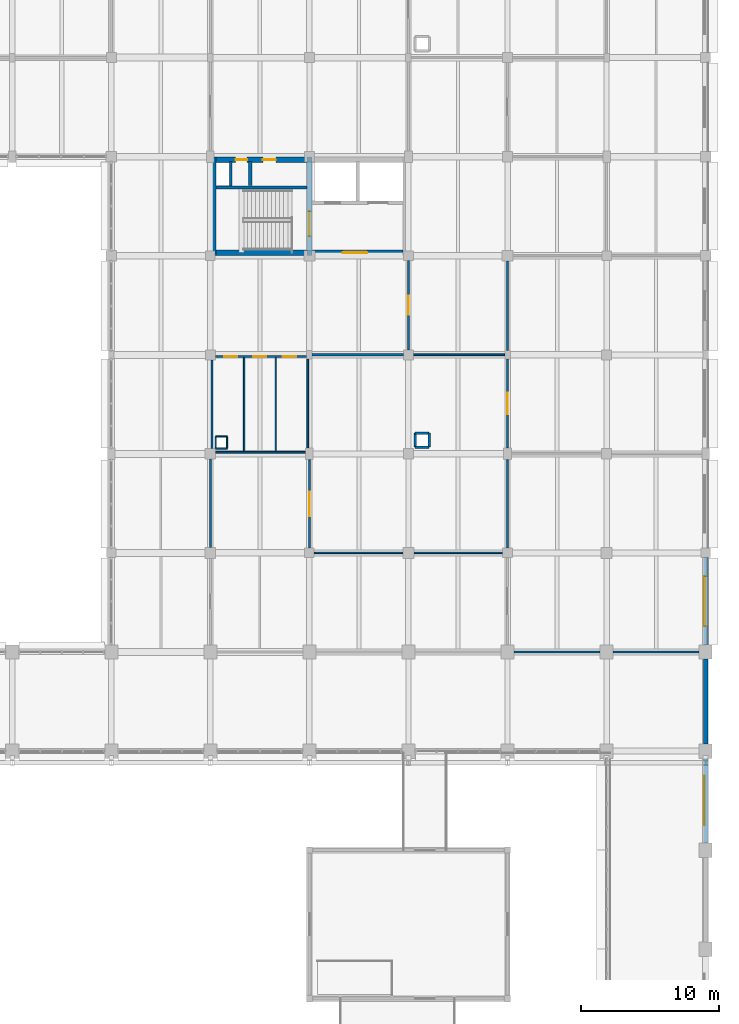
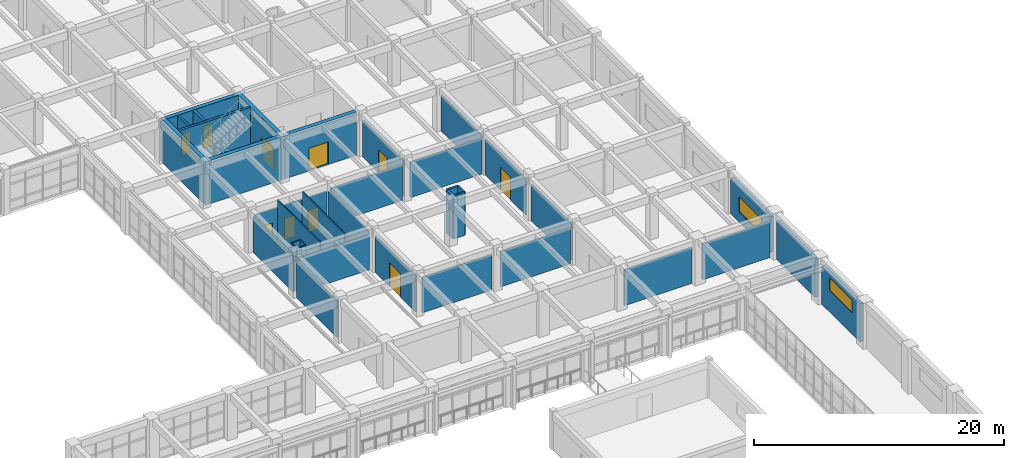
# One storey, part 160 of 171: 37 walls, 10 doors, 2 windows, 12 openings.
"""IFC4 building model written with IfcOpenShell, lengths in metres."""

from ifc_helpers import new_model, si_unit, direction, frame, frame_2d, origin, place, context, subcontext, project, spatial, rectangle, extrude, material, layer, layer_set, type_object, element, fill, save


model = new_model("IFC4")

# Units and contexts
model_context = context("Model", 3, precision=1e-05, world=origin(), true_north=direction((0.0, 1.0)))
body_context = subcontext(model_context, "Body", "Model", "MODEL_VIEW")
ifc_project = project(units=[si_unit("LENGTHUNIT", "METRE"), si_unit("AREAUNIT", "SQUARE_METRE"), si_unit("VOLUMEUNIT", "CUBIC_METRE"), si_unit("PLANEANGLEUNIT", "RADIAN"), si_unit("MASSUNIT", "GRAM", prefix="KILO")], contexts=[model_context])

# Site, building, storey
site_placement = place(None, origin())
site = spatial("IfcSite", under=ifc_project, at=site_placement, CompositionType="ELEMENT")
building_placement = place(site_placement, origin())
building = spatial("IfcBuilding", under=site, at=building_placement, Name="Thalmaran Polytechnic", CompositionType="ELEMENT")
storey_placement = place(building_placement, frame((0.0, 0.0, 5.39990234375)))
storey = spatial("IfcBuildingStorey", under=building, at=storey_placement, Name="L01", CompositionType="ELEMENT", Elevation=5.39990234375)

# Wall, opening, window
ifc_material_1 = material(Name="Precast concrete C40/50", Category="concrete")
ifc_layer_1 = layer(ifc_material_1, 0.330078125, Name="Precast concrete C40/50")
ifc_layer_set_1 = layer_set([ifc_layer_1], Name="Precast concrete C40/50")
wall_type_1 = type_object("IfcWallType", Name="WL-EW02", PredefinedType="STANDARD", material=ifc_layer_set_1)
wall_1_placement = place(storey_placement, frame((172.800048828125, 64.449951171875, 0.0), z_axis=(0.0, 0.0, 1.0), x_axis=(0.0, -1.0, 0.0)))
wall_1 = element("IfcWall", 1, at=wall_1_placement, inside=storey, type_object=wall_type_1, Name="Exterior Precast Facade Wall L01-060", PredefinedType="STANDARD", context=body_context, shape_type="SweptSolid", body=[
    extrude(rectangle(XDim=6.324951171875, YDim=0.330078125, at=frame_2d((3.16259765625, 0.0))), origin(), (0.0, 0.0, 1.0), 3.455078125),
])
opening_1_placement = place(wall_1_placement, frame((1.362548828125, 0.0, 0.97998046875)))
opening_1 = element("IfcOpeningElement", 2, at=opening_1_placement, cuts=wall_1, Name="Opening RW03", PredefinedType="OPENING", context=body_context, shape_type="SweptSolid", body=[
    extrude(rectangle(XDim=3.60009765625, YDim=1.5, at=frame_2d((1.800048828125, 0.75))), frame((0.0, 0.175048828125, 0.0), z_axis=(0.0, -1.0, 0.0), x_axis=(1.0, 0.0, 0.0)), (0.0, 0.0, 1.0), 0.35009765625),
])
ifc_material_2 = material(Name="Thermally broken aluminium and double low-E glass", Category="aluminium")
window_type_1 = type_object("IfcWindowType", Name="WN-RW03", PartitioningType="DOUBLE_PANEL_VERTICAL", PredefinedType="WINDOW", material=ifc_material_2)
window_1_placement = place(opening_1_placement, origin())
window_1 = element("IfcWindow", 3, at=window_1_placement, inside=storey, type_object=window_type_1, Name="Streamline Ribbon Window W-0132", OverallHeight=1.5, OverallWidth=3.60009765625, PartitioningType="SINGLE_PANEL", PredefinedType="WINDOW", context=body_context, shape_type="SweptSolid", body=[
    extrude(rectangle(XDim=3.60009765625, YDim=1.5, at=frame_2d((1.800048828125, 0.75))), frame((0.0, -0.030029296875, 0.0), z_axis=(0.0, -1.0, 0.0), x_axis=(1.0, 0.0, 0.0)), (0.0, 0.0, 1.0), 0.06005859375),
])
fill(opening_1, window_1)

# Wall
wall_2_placement = place(storey_placement, frame((172.800048828125, 57.074951171875, 0.0), z_axis=(0.0, 0.0, 1.0), x_axis=(0.0, -1.0, 0.0)))
element("IfcWall", 4, at=wall_2_placement, inside=storey, type_object=wall_type_1, Name="Exterior Precast Facade Wall L01-061", PredefinedType="STANDARD", context=body_context, shape_type="SweptSolid", body=[
    extrude(rectangle(XDim=6.14990234375, YDim=0.330078125, at=frame_2d((3.074951171875, 0.0))), origin(), (0.0, 0.0, 1.0), 3.7451171875),
])

# Wall, opening, window
wall_3_placement = place(storey_placement, frame((172.800048828125, 49.875, 0.0), z_axis=(0.0, 0.0, 1.0), x_axis=(0.0, -1.0, 0.0)))
wall_3 = element("IfcWall", 5, at=wall_3_placement, inside=storey, type_object=wall_type_1, Name="Exterior Precast Facade Wall L01-062", PredefinedType="STANDARD", context=body_context, shape_type="SweptSolid", body=[
    extrude(rectangle(XDim=6.14990234375, YDim=0.330078125, at=frame_2d((3.074951171875, 0.0))), origin(), (0.0, 0.0, 1.0), 3.7451171875),
])
opening_2_placement = place(wall_3_placement, frame((1.27490234375, 0.0, 2.10009765625)))
opening_2 = element("IfcOpeningElement", 6, at=opening_2_placement, cuts=wall_3, Name="Opening CL03", PredefinedType="OPENING", context=body_context, shape_type="SweptSolid", body=[
    extrude(rectangle(XDim=3.60009765625, YDim=1.25, at=frame_2d((1.800048828125, 0.625))), frame((0.0, 0.175048828125, 0.0), z_axis=(0.0, -1.0, 0.0), x_axis=(1.0, 0.0, 0.0)), (0.0, 0.0, 1.0), 0.35009765625),
])
window_type_2 = type_object("IfcWindowType", Name="WN-CL03", PartitioningType="DOUBLE_PANEL_VERTICAL", PredefinedType="WINDOW", material=ifc_material_2)
window_2_placement = place(opening_2_placement, origin())
window_2 = element("IfcWindow", 7, at=window_2_placement, inside=storey, type_object=window_type_2, Name="Workshop Gallery High Slot Window W-0133", OverallHeight=1.25, OverallWidth=3.60009765625, PartitioningType="SINGLE_PANEL", PredefinedType="WINDOW", context=body_context, shape_type="SweptSolid", body=[
    extrude(rectangle(XDim=3.60009765625, YDim=1.25, at=frame_2d((1.800048828125, 0.625))), frame((0.0, -0.050048828125, 0.0), z_axis=(0.0, -1.0, 0.0), x_axis=(1.0, 0.0, 0.0)), (0.0, 0.0, 1.0), 0.06005859375),
])
fill(opening_2, window_2)

# Walls
ifc_material_3 = material(Name="Autoclaved aerated masonry", Category="masonry")
ifc_layer_2 = layer(ifc_material_3, 0.22998046875, Name="Autoclaved aerated masonry")
ifc_layer_set_2 = layer_set([ifc_layer_2], Name="Autoclaved aerated masonry")
wall_type_2 = type_object("IfcWallType", Name="WL-IW02", PredefinedType="PARTITIONING", material=ifc_layer_set_2)
wall_4_placement = place(storey_placement, frame((139.699951171875, 91.5, 0.0), z_axis=(0.0, 0.0, 1.0), x_axis=(0.0, 1.0, 0.0)))
element("IfcWall", 8, at=wall_4_placement, inside=storey, type_object=wall_type_2, Name="Core C5 Riser Partition L01", PredefinedType="PARTITIONING", context=body_context, shape_type="SweptSolid", body=[
    extrude(rectangle(XDim=1.739990234375, YDim=0.22998046875, at=frame_2d((0.8701171875, 0.0))), origin(), (0.0, 0.0, 1.0), 4.210205078125),
])
ifc_layer_3 = layer(ifc_material_3, 0.179931640625, Name="Autoclaved aerated masonry")
ifc_layer_set_3 = layer_set([ifc_layer_3], Name="Autoclaved aerated masonry")
wall_type_3 = type_object("IfcWallType", Name="WL-IW04", PredefinedType="PARTITIONING", material=ifc_layer_set_3)
wall_5_placement = place(storey_placement, frame((138.280029296875, 91.47998046875, 0.0), z_axis=(0.0, 0.0, 1.0), x_axis=(0.0, 1.0, 0.0)))
element("IfcWall", 9, at=wall_5_placement, inside=storey, type_object=wall_type_3, Name="Core C5 Riser Shaft Enclosure Wall L01", PredefinedType="PARTITIONING", context=body_context, shape_type="SweptSolid", body=[
    extrude(rectangle(XDim=1.760009765625, YDim=0.179931640625, at=frame_2d((0.8798828125, 0.0))), origin(), (0.0, 0.0, 1.0), 4.210205078125),
])
for number, where, z_axis, x_axis, name in (
    (10, (151.68994140625, 72.489990234375, 0.0), (0.0, 0.0, 1.0), (1.0, 0.0, 0.0), "Fume Exhaust Riser Shaft Wall L01 (21,10)-S"),
    (11, (152.7099609375, 72.489990234375, 0.0), (0.0, 0.0, 1.0), (0.0, 1.0, 0.0), "Fume Exhaust Riser Shaft Wall L01 (21,10)-E"),
    (12, (152.7099609375, 73.510009765625, 0.0), (0.0, 0.0, 1.0), (-1.0, 0.0, 0.0), "Fume Exhaust Riser Shaft Wall L01 (21,10)-N"),
    (13, (151.68994140625, 73.510009765625, 0.0), (0.0, 0.0, 1.0), (0.0, -1.0, 0.0), "Fume Exhaust Riser Shaft Wall L01 (21,10)-W"),
):
    element("IfcWall", number, at=place(storey_placement, frame(where, z_axis=z_axis, x_axis=x_axis)), inside=storey, type_object=wall_type_3, Name=name, PredefinedType="PARTITIONING", context=body_context, shape_type="SweptSolid", body=[
        extrude(rectangle(XDim=1.02001953125, YDim=0.179931640625, at=frame_2d((0.510009765625, 0.0))), origin(), (0.0, 0.0, 1.0), 4.210205078125),
    ])
ifc_material_4 = material(Name="Gypsum acoustic partition")
ifc_layer_4 = layer(ifc_material_4, 0.159912109375, Name="Gypsum acoustic partition")
ifc_layer_set_4 = layer_set([ifc_layer_4], Name="Gypsum acoustic partition")
wall_type_4 = type_object("IfcWallType", Name="WL-IW05", PredefinedType="PARTITIONING", material=ifc_layer_set_4)
wall_6_placement = place(storey_placement, frame((136.800048828125, 65.195068359375, 0.0), z_axis=(0.0, 0.0, 1.0), x_axis=(0.0, 1.0, 0.0)))
element("IfcWall", 14, at=wall_6_placement, inside=storey, type_object=wall_type_4, Name="Interior Partition IW05 L01-128", PredefinedType="PARTITIONING", context=body_context, shape_type="SweptSolid", body=[
    extrude(rectangle(XDim=6.425048828125, YDim=0.159912109375, at=frame_2d((3.21240234375, 0.0))), origin(), (0.0, 0.0, 1.0), 3.52001953125),
])
wall_7_placement = place(storey_placement, frame((144.205078125, 79.199951171875, 0.0), z_axis=(0.0, 0.0, 1.0), x_axis=(1.0, 0.0, 0.0)))
element("IfcWall", 15, at=wall_7_placement, inside=storey, type_object=wall_type_4, Name="Interior Partition IW05 L01-138", PredefinedType="PARTITIONING", context=body_context, shape_type="SweptSolid", body=[
    extrude(rectangle(XDim=6.6298828125, YDim=0.159912109375, at=frame_2d((3.31494140625, 0.0))), origin(), (0.0, 0.0, 1.0), 3.460205078125),
])

# Wall, opening, door
wall_8_placement = place(storey_placement, frame((151.199951171875, 79.56494140625, 0.0), z_axis=(0.0, 0.0, 1.0), x_axis=(0.0, 1.0, 0.0)))
wall_8 = element("IfcWall", 16, at=wall_8_placement, inside=storey, type_object=wall_type_4, Name="Interior Partition IW05 L01-139", PredefinedType="PARTITIONING", context=body_context, shape_type="SweptSolid", body=[
    extrude(rectangle(XDim=6.47998046875, YDim=0.159912109375, at=frame_2d((3.239990234375, 0.0))), origin(), (0.0, 0.0, 1.0), 3.51513671875),
])
opening_3_placement = place(wall_8_placement, frame((2.550048828125, 0.0, 0.0)))
opening_3 = element("IfcOpeningElement", 17, at=opening_3_placement, cuts=wall_8, Name="Opening D-L01-048-5-05-1", PredefinedType="OPENING", context=body_context, shape_type="SweptSolid", body=[
    extrude(rectangle(XDim=1.3798828125, YDim=2.219970703125, at=frame_2d((0.68994140625, 1.10986328125))), frame((0.0, 0.08984375, 0.0), z_axis=(0.0, -1.0, 0.0), x_axis=(1.0, 0.0, 0.0)), (0.0, 0.0, 1.0), 0.179931640625),
])
ifc_material_5 = material(Name="Acoustic hardwood and vision glass", Category="wood")
door_type_1 = type_object("IfcDoorType", Name="DR-ZD04", OperationType="NOTDEFINED", PredefinedType="DOOR", material=ifc_material_5)
door_1_placement = place(opening_3_placement, origin())
door_1 = element("IfcDoor", 18, at=door_1_placement, inside=storey, type_object=door_type_1, Name="Robotics and Automation Laboratory L01-05 Door 1", OperationType="SINGLE_SWING_LEFT", OverallHeight=2.219970703125, OverallWidth=1.3798828125, PredefinedType="DOOR", context=body_context, shape_type="SweptSolid", body=[
    extrude(rectangle(XDim=1.3798828125, YDim=2.219970703125, at=frame_2d((0.68994140625, 1.10986328125))), frame((0.0, 0.02490234375, 0.0), z_axis=(0.0, -1.0, 0.0), x_axis=(1.0, 0.0, 0.0)), (0.0, 0.0, 1.0), 0.050048828125),
])
fill(opening_3, door_1)

# Walls
wall_9_placement = place(storey_placement, frame((158.8798828125, 57.60009765625, 0.0), z_axis=(0.0, 0.0, 1.0), x_axis=(1.0, 0.0, 0.0)))
element("IfcWall", 19, at=wall_9_placement, inside=storey, type_object=wall_type_4, Name="Interior Partition IW05 L01-155", PredefinedType="PARTITIONING", context=body_context, shape_type="SweptSolid", body=[
    extrude(rectangle(XDim=6.240234375, YDim=0.159912109375, at=frame_2d((3.1201171875, 0.0))), origin(), (0.0, 0.0, 1.0), 3.485107421875),
])
wall_10_placement = place(storey_placement, frame((166.080078125, 57.60009765625, 0.0), z_axis=(0.0, 0.0, 1.0), x_axis=(1.0, 0.0, 0.0)))
element("IfcWall", 20, at=wall_10_placement, inside=storey, type_object=wall_type_4, Name="Interior Partition IW05 L01-164", PredefinedType="PARTITIONING", context=body_context, shape_type="SweptSolid", body=[
    extrude(rectangle(XDim=6.239990234375, YDim=0.159912109375, at=frame_2d((3.1201171875, 0.0))), origin(), (0.0, 0.0, 1.0), 3.489990234375),
])

# Wall, opening, door
ifc_layer_5 = layer(ifc_material_4, 0.1298828125, Name="Gypsum acoustic partition")
ifc_layer_set_5 = layer_set([ifc_layer_5], Name="Gypsum acoustic partition")
wall_type_5 = type_object("IfcWallType", Name="WL-IW07", PredefinedType="PARTITIONING", material=ifc_layer_set_5)
wall_11_placement = place(storey_placement, frame((144.0, 65.155029296875, 0.0), z_axis=(0.0, 0.0, 1.0), x_axis=(0.0, 1.0, 0.0)))
wall_11 = element("IfcWall", 21, at=wall_11_placement, inside=storey, type_object=wall_type_5, Name="Interior Partition IW07 L01-134", PredefinedType="PARTITIONING", context=body_context, shape_type="SweptSolid", body=[
    extrude(rectangle(XDim=6.4150390625, YDim=0.1298828125, at=frame_2d((3.20751953125, 0.0))), origin(), (0.0, 0.0, 1.0), 3.52001953125),
])
opening_4_placement = place(wall_11_placement, frame((2.327392578125, 0.0, 0.0)))
opening_4 = element("IfcOpeningElement", 22, at=opening_4_placement, cuts=wall_11, Name="Opening D-L01-046-5-03-1", PredefinedType="OPENING", context=body_context, shape_type="SweptSolid", body=[
    extrude(rectangle(XDim=1.760009765625, YDim=2.300048828125, at=frame_2d((0.8798828125, 1.14990234375))), frame((0.0, 0.074951171875, 0.0), z_axis=(0.0, -1.0, 0.0), x_axis=(1.0, 0.0, 0.0)), (0.0, 0.0, 1.0), 0.14990234375),
])
door_type_2 = type_object("IfcDoorType", Name="DR-ZD02", OperationType="NOTDEFINED", PredefinedType="DOOR", material=ifc_material_5)
door_2_placement = place(opening_4_placement, origin())
door_2 = element("IfcDoor", 23, at=door_2_placement, inside=storey, type_object=door_type_2, Name="Seminar Room L01-03 Door 1", OperationType="SINGLE_SWING_LEFT", OverallHeight=2.300048828125, OverallWidth=1.760009765625, PredefinedType="DOOR", context=body_context, shape_type="SweptSolid", body=[
    extrude(rectangle(XDim=1.760009765625, YDim=2.300048828125, at=frame_2d((0.8798828125, 1.14990234375))), frame((0.0, 0.02490234375, 0.0), z_axis=(0.0, -1.0, 0.0), x_axis=(1.0, 0.0, 0.0)), (0.0, 0.0, 1.0), 0.050048828125),
])
fill(opening_4, door_2)

# Walls
wall_12_placement = place(storey_placement, frame((158.39990234375, 65.155029296875, 0.0), z_axis=(0.0, 0.0, 1.0), x_axis=(0.0, 1.0, 0.0)))
element("IfcWall", 24, at=wall_12_placement, inside=storey, type_object=wall_type_5, Name="Interior Partition IW07 L01-148", PredefinedType="PARTITIONING", context=body_context, shape_type="SweptSolid", body=[
    extrude(rectangle(XDim=6.4150390625, YDim=0.1298828125, at=frame_2d((3.20751953125, 0.0))), origin(), (0.0, 0.0, 1.0), 3.52001953125),
])
wall_13_placement = place(storey_placement, frame((151.56494140625, 79.199951171875, 0.0), z_axis=(0.0, 0.0, 1.0), x_axis=(1.0, 0.0, 0.0)))
element("IfcWall", 25, at=wall_13_placement, inside=storey, type_object=wall_type_5, Name="Interior Partition IW07 L01-150", PredefinedType="PARTITIONING", context=body_context, shape_type="SweptSolid", body=[
    extrude(rectangle(XDim=6.630126953125, YDim=0.1298828125, at=frame_2d((3.31494140625, 0.0))), origin(), (0.0, 0.0, 1.0), 3.47021484375),
])
ifc_layer_6 = layer(ifc_material_4, 0.114990234375, Name="Gypsum acoustic partition")
ifc_layer_set_6 = layer_set([ifc_layer_6], Name="Gypsum acoustic partition")
wall_type_6 = type_object("IfcWallType", Name="WL-IW08", PredefinedType="PARTITIONING", material=ifc_layer_set_6)
wall_14_placement = place(storey_placement, frame((137.179931640625, 72.1201171875, 0.0), z_axis=(0.0, 0.0, 1.0), x_axis=(1.0, 0.0, 0.0)))
element("IfcWall", 26, at=wall_14_placement, inside=storey, type_object=wall_type_6, Name="Sanitary Core Wall L01-W3-S", PredefinedType="PARTITIONING", context=body_context, shape_type="SweptSolid", body=[
    extrude(rectangle(XDim=6.5400390625, YDim=0.114990234375, at=frame_2d((3.27001953125, 0.0))), origin(), (0.0, 0.0, 1.0), 3.43017578125),
])

# Wall, openings, doors
wall_15_placement = place(storey_placement, frame((137.1650390625, 79.080078125, 0.0), z_axis=(0.0, 0.0, 1.0), x_axis=(1.0, 0.0, 0.0)))
wall_15 = element("IfcWall", 27, at=wall_15_placement, inside=storey, type_object=wall_type_6, Name="Sanitary Core Wall L01-W3-N", PredefinedType="PARTITIONING", context=body_context, shape_type="SweptSolid", body=[
    extrude(rectangle(XDim=6.6298828125, YDim=0.114990234375, at=frame_2d((3.31494140625, 0.0))), origin(), (0.0, 0.0, 1.0), 3.43017578125),
])
opening_5_placement = place(wall_15_placement, frame((0.635009765625, 0.0, 0.0)))
opening_5 = element("IfcOpeningElement", 28, at=opening_5_placement, cuts=wall_15, Name="Opening WD-L01-W3-1", PredefinedType="OPENING", context=body_context, shape_type="SweptSolid", body=[
    extrude(rectangle(XDim=0.949951171875, YDim=2.10009765625, at=frame_2d((0.47509765625, 1.050048828125))), frame((0.0, 0.0673828125, 0.0), z_axis=(0.0, -1.0, 0.0), x_axis=(1.0, 0.0, 0.0)), (0.0, 0.0, 1.0), 0.135009765625),
])
opening_6_placement = place(wall_15_placement, frame((2.735107421875, 0.0, 0.0)))
opening_6 = element("IfcOpeningElement", 29, at=opening_6_placement, cuts=wall_15, Name="Opening WD-L01-W3-2", PredefinedType="OPENING", context=body_context, shape_type="SweptSolid", body=[
    extrude(rectangle(XDim=0.949951171875, YDim=2.10009765625, at=frame_2d((0.47509765625, 1.050048828125))), frame((0.0, 0.0673828125, 0.0), z_axis=(0.0, -1.0, 0.0), x_axis=(1.0, 0.0, 0.0)), (0.0, 0.0, 1.0), 0.135009765625),
])
opening_7_placement = place(wall_15_placement, frame((4.885009765625, 0.0, 0.0)))
opening_7 = element("IfcOpeningElement", 30, at=opening_7_placement, cuts=wall_15, Name="Opening WD-L01-W3-3", PredefinedType="OPENING", context=body_context, shape_type="SweptSolid", body=[
    extrude(rectangle(XDim=1.0, YDim=2.14990234375, at=frame_2d((0.5, 1.074951171875))), frame((0.0, 0.0673828125, 0.0), z_axis=(0.0, -1.0, 0.0), x_axis=(1.0, 0.0, 0.0)), (0.0, 0.0, 1.0), 0.135009765625),
])
ifc_material_6 = material(Name="Acoustic hardwood", Category="wood")
door_type_3 = type_object("IfcDoorType", Name="DR-ID06", OperationType="NOTDEFINED", PredefinedType="DOOR", material=ifc_material_6)
door_3_placement = place(opening_7_placement, origin())
door_3 = element("IfcDoor", 31, at=door_3_placement, inside=storey, type_object=door_type_3, Name="Accessible WC Door L01-W3", OperationType="SINGLE_SWING_LEFT", OverallHeight=2.14990234375, OverallWidth=1.0, PredefinedType="DOOR", context=body_context, shape_type="SweptSolid", body=[
    extrude(rectangle(XDim=1.0, YDim=2.14990234375, at=frame_2d((0.5, 1.074951171875))), frame((0.0, 0.02490234375, 0.0), z_axis=(0.0, -1.0, 0.0), x_axis=(1.0, 0.0, 0.0)), (0.0, 0.0, 1.0), 0.050048828125),
])
fill(opening_7, door_3)
ifc_material_7 = material(Name="Moisture-resistant laminate timber", Category="wood")
door_type_4 = type_object("IfcDoorType", Name="DR-ID07", OperationType="NOTDEFINED", PredefinedType="DOOR", material=ifc_material_7)
door_4_placement = place(opening_5_placement, origin())
door_4 = element("IfcDoor", 32, at=door_4_placement, inside=storey, type_object=door_type_4, Name="Male WC Door L01-W3", OperationType="SINGLE_SWING_LEFT", OverallHeight=2.10009765625, OverallWidth=0.949951171875, PredefinedType="DOOR", context=body_context, shape_type="SweptSolid", body=[
    extrude(rectangle(XDim=0.949951171875, YDim=2.10009765625, at=frame_2d((0.47509765625, 1.050048828125))), frame((0.0, 0.02490234375, 0.0), z_axis=(0.0, -1.0, 0.0), x_axis=(1.0, 0.0, 0.0)), (0.0, 0.0, 1.0), 0.050048828125),
])
fill(opening_5, door_4)
door_5_placement = place(opening_6_placement, origin())
door_5 = element("IfcDoor", 33, at=door_5_placement, inside=storey, type_object=door_type_4, Name="Female WC Door L01-W3", OperationType="SINGLE_SWING_RIGHT", OverallHeight=2.10009765625, OverallWidth=0.949951171875, PredefinedType="DOOR", context=body_context, shape_type="SweptSolid", body=[
    extrude(rectangle(XDim=0.949951171875, YDim=2.10009765625, at=frame_2d((0.47509765625, 1.050048828125))), frame((0.0, 0.02490234375, 0.0), z_axis=(0.0, -1.0, 0.0), x_axis=(1.0, 0.0, 0.0)), (0.0, 0.0, 1.0), 0.050048828125),
])
fill(opening_6, door_5)

# Walls
wall_16_placement = place(storey_placement, frame((136.919921875, 72.3798828125, 0.0), z_axis=(0.0, 0.0, 1.0), x_axis=(0.0, 1.0, 0.0)))
element("IfcWall", 34, at=wall_16_placement, inside=storey, type_object=wall_type_6, Name="Sanitary Side Wall L01-W3-W", PredefinedType="PARTITIONING", context=body_context, shape_type="SweptSolid", body=[
    extrude(rectangle(XDim=6.455078125, YDim=0.114990234375, at=frame_2d((3.2275390625, 0.0))), origin(), (0.0, 0.0, 1.0), 3.51513671875),
])
wall_17_placement = place(storey_placement, frame((143.8798828125, 72.429931640625, 0.0), z_axis=(0.0, 0.0, 1.0), x_axis=(0.0, 1.0, 0.0)))
element("IfcWall", 35, at=wall_17_placement, inside=storey, type_object=wall_type_6, Name="Sanitary Side Wall L01-W3-E", PredefinedType="PARTITIONING", context=body_context, shape_type="SweptSolid", body=[
    extrude(rectangle(XDim=6.465087890625, YDim=0.114990234375, at=frame_2d((3.232421875, 0.0))), origin(), (0.0, 0.0, 1.0), 3.51513671875),
])
wall_18_placement = place(storey_placement, frame((144.35498046875, 64.800048828125, 0.0), z_axis=(0.0, 0.0, 1.0), x_axis=(1.0, 0.0, 0.0)))
element("IfcWall", 36, at=wall_18_placement, inside=storey, type_object=wall_type_6, Name="Interior Partition IW08 L01-137", PredefinedType="PARTITIONING", context=body_context, shape_type="SweptSolid", body=[
    extrude(rectangle(XDim=6.449951171875, YDim=0.114990234375, at=frame_2d((3.22509765625, 0.0))), origin(), (0.0, 0.0, 1.0), 3.460205078125),
])
wall_19_placement = place(storey_placement, frame((151.594970703125, 64.800048828125, 0.0), z_axis=(0.0, 0.0, 1.0), x_axis=(1.0, 0.0, 0.0)))
element("IfcWall", 37, at=wall_19_placement, inside=storey, type_object=wall_type_6, Name="Interior Partition IW08 L01-147", PredefinedType="PARTITIONING", context=body_context, shape_type="SweptSolid", body=[
    extrude(rectangle(XDim=6.449951171875, YDim=0.114990234375, at=frame_2d((3.22509765625, 0.0))), origin(), (0.0, 0.0, 1.0), 3.47021484375),
])

# Wall, opening, door
wall_20_placement = place(storey_placement, frame((158.39990234375, 72.429931640625, 0.0), z_axis=(0.0, 0.0, 1.0), x_axis=(0.0, 1.0, 0.0)))
wall_20 = element("IfcWall", 38, at=wall_20_placement, inside=storey, type_object=wall_type_6, Name="Interior Partition IW08 L01-149", PredefinedType="PARTITIONING", context=body_context, shape_type="SweptSolid", body=[
    extrude(rectangle(XDim=6.465087890625, YDim=0.114990234375, at=frame_2d((3.232421875, 0.0))), origin(), (0.0, 0.0, 1.0), 3.51513671875),
])
opening_8_placement = place(wall_20_placement, frame((2.452392578125, 0.0, 0.0)))
opening_8 = element("IfcOpeningElement", 39, at=opening_8_placement, cuts=wall_20, Name="Opening D-L01-047-5-04-1", PredefinedType="OPENING", context=body_context, shape_type="SweptSolid", body=[
    extrude(rectangle(XDim=1.56005859375, YDim=2.25, at=frame_2d((0.780029296875, 1.125))), frame((0.0, 0.0673828125, 0.0), z_axis=(0.0, -1.0, 0.0), x_axis=(1.0, 0.0, 0.0)), (0.0, 0.0, 1.0), 0.135009765625),
])
door_type_5 = type_object("IfcDoorType", Name="DR-ZD03", OperationType="NOTDEFINED", PredefinedType="DOOR", material=ifc_material_5)
door_6_placement = place(opening_8_placement, origin())
door_6 = element("IfcDoor", 40, at=door_6_placement, inside=storey, type_object=door_type_5, Name="Process Engineering Laboratory L01-04 Door 1", OperationType="SINGLE_SWING_RIGHT", OverallHeight=2.25, OverallWidth=1.56005859375, PredefinedType="DOOR", context=body_context, shape_type="SweptSolid", body=[
    extrude(rectangle(XDim=1.56005859375, YDim=2.25, at=frame_2d((0.780029296875, 1.125))), frame((0.0, 0.02490234375, 0.0), z_axis=(0.0, -1.0, 0.0), x_axis=(1.0, 0.0, 0.0)), (0.0, 0.0, 1.0), 0.050048828125),
])
fill(opening_8, door_6)

# Walls
wall_21_placement = place(storey_placement, frame((158.39990234375, 79.5048828125, 0.0), z_axis=(0.0, 0.0, 1.0), x_axis=(0.0, 1.0, 0.0)))
element("IfcWall", 41, at=wall_21_placement, inside=storey, type_object=wall_type_6, Name="Interior Partition IW08 L01-151", PredefinedType="PARTITIONING", context=body_context, shape_type="SweptSolid", body=[
    extrude(rectangle(XDim=6.5, YDim=0.114990234375, at=frame_2d((3.25, 0.0))), origin(), (0.0, 0.0, 1.0), 3.51513671875),
])
ifc_material_8 = material(Name="Moisture-resistant partition")
ifc_layer_7 = layer(ifc_material_8, 0.10009765625, Name="Moisture-resistant partition")
ifc_layer_set_7 = layer_set([ifc_layer_7], Name="Moisture-resistant partition")
wall_type_7 = type_object("IfcWallType", Name="WL-IW09", PredefinedType="PARTITIONING", material=ifc_layer_set_7)
for number, where, z_axis, x_axis, name in (
    (42, (139.25, 72.199951171875, 0.0), (0.0, 0.0, 1.0), (0.0, 1.0, 0.0), "WC Partition L01-W3-1"),
    (43, (141.550048828125, 72.199951171875, 0.0), (0.0, 0.0, 1.0), (0.0, 1.0, 0.0), "WC Partition L01-W3-2"),
):
    element("IfcWall", number, at=place(storey_placement, frame(where, z_axis=z_axis, x_axis=x_axis)), inside=storey, type_object=wall_type_7, Name=name, PredefinedType="PARTITIONING", context=body_context, shape_type="SweptSolid", body=[
        extrude(rectangle(XDim=6.800048828125, YDim=0.10009765625, at=frame_2d((3.39990234375, 0.0))), origin(), (0.0, 0.0, 1.0), 4.210205078125),
    ])
wall_22_placement = place(storey_placement, frame((137.18994140625, 72.39990234375, 0.0), z_axis=(0.0, 0.0, 1.0), x_axis=(1.0, 0.0, 0.0)))
element("IfcWall", 44, at=wall_22_placement, inside=storey, type_object=wall_type_7, Name="Plumbing Riser Chase Wall L01-W3-S", PredefinedType="PARTITIONING", context=body_context, shape_type="SweptSolid", body=[
    extrude(rectangle(XDim=0.820068359375, YDim=0.10009765625, at=frame_2d((0.41015625, 0.0))), origin(), (0.0, 0.0, 1.0), 4.210205078125),
])
wall_23_placement = place(storey_placement, frame((138.010009765625, 72.39990234375, 0.0), z_axis=(0.0, 0.0, 1.0), x_axis=(0.0, 1.0, 0.0)))
element("IfcWall", 45, at=wall_23_placement, inside=storey, type_object=wall_type_7, Name="Plumbing Riser Chase Wall L01-W3-E", PredefinedType="PARTITIONING", context=body_context, shape_type="SweptSolid", body=[
    extrude(rectangle(XDim=0.860107421875, YDim=0.10009765625, at=frame_2d((0.43017578125, 0.0))), origin(), (0.0, 0.0, 1.0), 4.210205078125),
])
wall_24_placement = place(storey_placement, frame((138.010009765625, 73.260009765625, 0.0), z_axis=(0.0, 0.0, 1.0), x_axis=(-1.0, 0.0, 0.0)))
element("IfcWall", 46, at=wall_24_placement, inside=storey, type_object=wall_type_7, Name="Plumbing Riser Chase Wall L01-W3-N", PredefinedType="PARTITIONING", context=body_context, shape_type="SweptSolid", body=[
    extrude(rectangle(XDim=0.820068359375, YDim=0.10009765625, at=frame_2d((0.41015625, 0.0))), origin(), (0.0, 0.0, 1.0), 4.210205078125),
])
wall_25_placement = place(storey_placement, frame((137.18994140625, 73.260009765625, 0.0), z_axis=(0.0, 0.0, 1.0), x_axis=(0.0, -1.0, 0.0)))
element("IfcWall", 47, at=wall_25_placement, inside=storey, type_object=wall_type_7, Name="Plumbing Riser Chase Wall L01-W3-W", PredefinedType="PARTITIONING", context=body_context, shape_type="SweptSolid", body=[
    extrude(rectangle(XDim=0.860107421875, YDim=0.10009765625, at=frame_2d((0.43017578125, 0.0))), origin(), (0.0, 0.0, 1.0), 4.210205078125),
])
ifc_material_9 = material(Name="Concrete C50/60", Category="concrete")
ifc_layer_8 = layer(ifc_material_9, 0.3798828125, Name="Concrete C50/60")
ifc_layer_set_8 = layer_set([ifc_layer_8], Name="Concrete C50/60")
wall_type_8 = type_object("IfcWallType", Name="WL-SW02", PredefinedType="SHEAR", material=ifc_layer_set_8)
wall_26_placement = place(storey_placement, frame((137.2099609375, 86.6201171875, 0.0), z_axis=(0.0, 0.0, 1.0), x_axis=(1.0, 0.0, 0.0)))
element("IfcWall", 48, at=wall_26_placement, inside=storey, type_object=wall_type_8, Name="Core C5 South Shear Wall L01", PredefinedType="SHEAR", context=body_context, shape_type="SweptSolid", body=[
    extrude(rectangle(XDim=6.60009765625, YDim=0.3798828125, at=frame_2d((3.300048828125, 0.0))), origin(), (0.0, 0.0, 1.0), 4.210205078125),
])
wall_27_placement = place(storey_placement, frame((137.02001953125, 93.570068359375, 0.0), z_axis=(0.0, 0.0, 1.0), x_axis=(0.0, -1.0, 0.0)))
element("IfcWall", 49, at=wall_27_placement, inside=storey, type_object=wall_type_8, Name="Core C5 West Shear Wall L01", PredefinedType="SHEAR", context=body_context, shape_type="SweptSolid", body=[
    extrude(rectangle(XDim=7.14013671875, YDim=0.3798828125, at=frame_2d((3.570068359375, 0.0))), origin(), (0.0, 0.0, 1.0), 4.210205078125),
])

# Wall, openings, doors
wall_28_placement = place(storey_placement, frame((137.2099609375, 93.3798828125, 0.0), z_axis=(0.0, 0.0, 1.0), x_axis=(1.0, 0.0, 0.0)))
wall_28 = element("IfcWall", 50, at=wall_28_placement, inside=storey, type_object=wall_type_8, Name="Core C5 North Shear Wall L01", PredefinedType="SHEAR", context=body_context, shape_type="SweptSolid", body=[
    extrude(rectangle(XDim=6.60009765625, YDim=0.3798828125, at=frame_2d((3.300048828125, 0.0))), origin(), (0.0, 0.0, 1.0), 4.210205078125),
])
opening_9_placement = place(wall_28_placement, frame((1.419921875, 0.0, 0.0)))
opening_9 = element("IfcOpeningElement", 51, at=opening_9_placement, cuts=wall_28, Name="Opening DR-C5-L01-R", PredefinedType="OPENING", context=body_context, shape_type="SweptSolid", body=[
    extrude(rectangle(XDim=0.85009765625, YDim=2.10009765625, at=frame_2d((0.425048828125, 1.050048828125))), frame((0.0, 0.199951171875, 0.0), z_axis=(0.0, -1.0, 0.0), x_axis=(1.0, 0.0, 0.0)), (0.0, 0.0, 1.0), 0.39990234375),
])
opening_10_placement = place(wall_28_placement, frame((3.39990234375, 0.0, 0.0)))
opening_10 = element("IfcOpeningElement", 52, at=opening_10_placement, cuts=wall_28, Name="Opening ED-C5-L01-E", PredefinedType="OPENING", context=body_context, shape_type="SweptSolid", body=[
    extrude(rectangle(XDim=0.949951171875, YDim=2.14990234375, at=frame_2d((0.47509765625, 1.074951171875))), frame((0.0, 0.199951171875, 0.0), z_axis=(0.0, -1.0, 0.0), x_axis=(1.0, 0.0, 0.0)), (0.0, 0.0, 1.0), 0.39990234375),
])
ifc_material_10 = material(Name="Powder-coated fire-rated steel", Category="steel")
door_type_6 = type_object("IfcDoorType", Name="DR-FD08", OperationType="NOTDEFINED", PredefinedType="DOOR", material=ifc_material_10)
door_7_placement = place(opening_10_placement, origin())
door_7 = element("IfcDoor", 53, at=door_7_placement, inside=storey, type_object=door_type_6, Name="Electrical Riser Door C5 L01", OperationType="SINGLE_SWING_RIGHT", OverallHeight=2.14990234375, OverallWidth=0.949951171875, PredefinedType="DOOR", context=body_context, shape_type="SweptSolid", body=[
    extrude(rectangle(XDim=0.949951171875, YDim=2.14990234375, at=frame_2d((0.47509765625, 1.074951171875))), frame((0.0, 0.02490234375, 0.0), z_axis=(0.0, -1.0, 0.0), x_axis=(1.0, 0.0, 0.0)), (0.0, 0.0, 1.0), 0.050048828125),
])
fill(opening_10, door_7)
door_type_7 = type_object("IfcDoorType", Name="DR-FD09", OperationType="NOTDEFINED", PredefinedType="DOOR", material=ifc_material_10)
door_8_placement = place(opening_9_placement, origin())
door_8 = element("IfcDoor", 54, at=door_8_placement, inside=storey, type_object=door_type_7, Name="Riser Access Fire Door C5 L01", OperationType="SINGLE_SWING_RIGHT", OverallHeight=2.10009765625, OverallWidth=0.85009765625, PredefinedType="DOOR", context=body_context, shape_type="SweptSolid", body=[
    extrude(rectangle(XDim=0.85009765625, YDim=2.10009765625, at=frame_2d((0.425048828125, 1.050048828125))), frame((0.0, 0.02490234375, 0.0), z_axis=(0.0, -1.0, 0.0), x_axis=(1.0, 0.0, 0.0)), (0.0, 0.0, 1.0), 0.050048828125),
])
fill(opening_9, door_8)

# Wall
wall_29_placement = place(storey_placement, frame((137.2099609375, 91.360107421875, 0.0), z_axis=(0.0, 0.0, 1.0), x_axis=(1.0, 0.0, 0.0)))
element("IfcWall", 55, at=wall_29_placement, inside=storey, type_object=wall_type_8, Name="Core C5 Stair Partition L01", PredefinedType="SHEAR", context=body_context, shape_type="SweptSolid", body=[
    extrude(rectangle(XDim=6.60009765625, YDim=0.219970703125, at=frame_2d((3.300048828125, 0.0))), origin(), (0.0, 0.0, 1.0), 4.210205078125),
])

# Wall, opening, door
wall_30_placement = place(storey_placement, frame((144.0, 86.429931640625, 0.0), z_axis=(0.0, 0.0, 1.0), x_axis=(0.0, 1.0, 0.0)))
wall_30 = element("IfcWall", 56, at=wall_30_placement, inside=storey, type_object=wall_type_8, Name="Core C5 Stair-Lobby Dividing Shear Wall L01", PredefinedType="SHEAR", context=body_context, shape_type="SweptSolid", body=[
    extrude(rectangle(XDim=7.14013671875, YDim=0.3798828125, at=frame_2d((3.570068359375, 0.0))), origin(), (0.0, 0.0, 1.0), 4.210205078125),
])
opening_11_placement = place(wall_30_placement, frame((1.39990234375, 0.0, 0.0)))
opening_11 = element("IfcOpeningElement", 57, at=opening_11_placement, cuts=wall_30, Name="Opening SD-ST5-L01", PredefinedType="OPENING", context=body_context, shape_type="SweptSolid", body=[
    extrude(rectangle(XDim=1.800048828125, YDim=2.199951171875, at=frame_2d((0.89990234375, 1.10009765625))), frame((0.0, 0.199951171875, 0.0), z_axis=(0.0, -1.0, 0.0), x_axis=(1.0, 0.0, 0.0)), (0.0, 0.0, 1.0), 0.39990234375),
])
door_type_8 = type_object("IfcDoorType", Name="DR-FD03", OperationType="NOTDEFINED", PredefinedType="DOOR", material=ifc_material_10)
door_9_placement = place(opening_11_placement, origin())
door_9 = element("IfcDoor", 58, at=door_9_placement, inside=storey, type_object=door_type_8, Name="Firefighting Lobby to Exit Stair Door ST5 L01", OperationType="SINGLE_SWING_LEFT", OverallHeight=2.199951171875, OverallWidth=1.800048828125, PredefinedType="DOOR", context=body_context, shape_type="SweptSolid", body=[
    extrude(rectangle(XDim=1.800048828125, YDim=2.199951171875, at=frame_2d((0.89990234375, 1.10009765625))), frame((0.0, 0.02490234375, 0.0), z_axis=(0.0, -1.0, 0.0), x_axis=(1.0, 0.0, 0.0)), (0.0, 0.0, 1.0), 0.050048828125),
])
fill(opening_11, door_9)

wall_31_placement = place(storey_placement, frame((144.18994140625, 86.6201171875, 0.0), z_axis=(0.0, 0.0, 1.0), x_axis=(1.0, 0.0, 0.0)))
wall_31 = element("IfcWall", 59, at=wall_31_placement, inside=storey, type_object=wall_type_8, Name="Core C5 Lobby South Wall L01", PredefinedType="SHEAR", context=body_context, shape_type="SweptSolid", body=[
    extrude(rectangle(XDim=6.60009765625, YDim=0.3798828125, at=frame_2d((3.300048828125, 0.0))), origin(), (0.0, 0.0, 1.0), 4.210205078125),
])
opening_12_placement = place(wall_31_placement, frame((2.219970703125, 0.0, 0.0)))
opening_12 = element("IfcOpeningElement", 60, at=opening_12_placement, cuts=wall_31, Name="Opening FD-C5-L01", PredefinedType="OPENING", context=body_context, shape_type="SweptSolid", body=[
    extrude(rectangle(XDim=1.800048828125, YDim=2.199951171875, at=frame_2d((0.89990234375, 1.10009765625))), frame((0.0, 0.199951171875, 0.0), z_axis=(0.0, -1.0, 0.0), x_axis=(1.0, 0.0, 0.0)), (0.0, 0.0, 1.0), 0.39990234375),
])
door_type_9 = type_object("IfcDoorType", Name="DR-FD01", OperationType="NOTDEFINED", PredefinedType="DOOR", material=ifc_material_10)
door_10_placement = place(opening_12_placement, origin())
door_10 = element("IfcDoor", 61, at=door_10_placement, inside=storey, type_object=door_type_9, Name="Firefighting Lift Lobby Entrance Door C5 L01", OperationType="DOUBLE_DOOR_SINGLE_SWING", OverallHeight=2.199951171875, OverallWidth=1.800048828125, PredefinedType="DOOR", context=body_context, shape_type="SweptSolid", body=[
    extrude(rectangle(XDim=1.800048828125, YDim=2.199951171875, at=frame_2d((0.89990234375, 1.10009765625))), frame((0.0, 0.02490234375, 0.0), z_axis=(0.0, -1.0, 0.0), x_axis=(1.0, 0.0, 0.0)), (0.0, 0.0, 1.0), 0.050048828125),
])
fill(opening_12, door_10)

save(model, "model.ifc")
